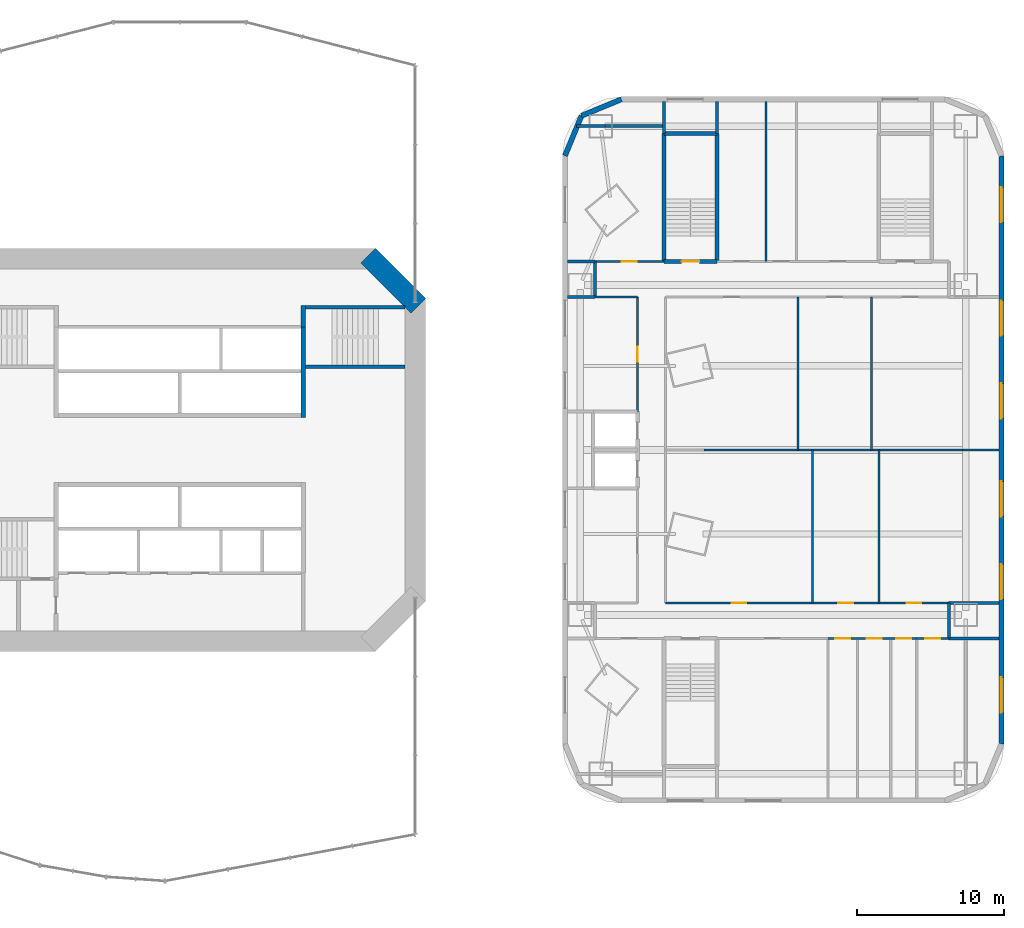
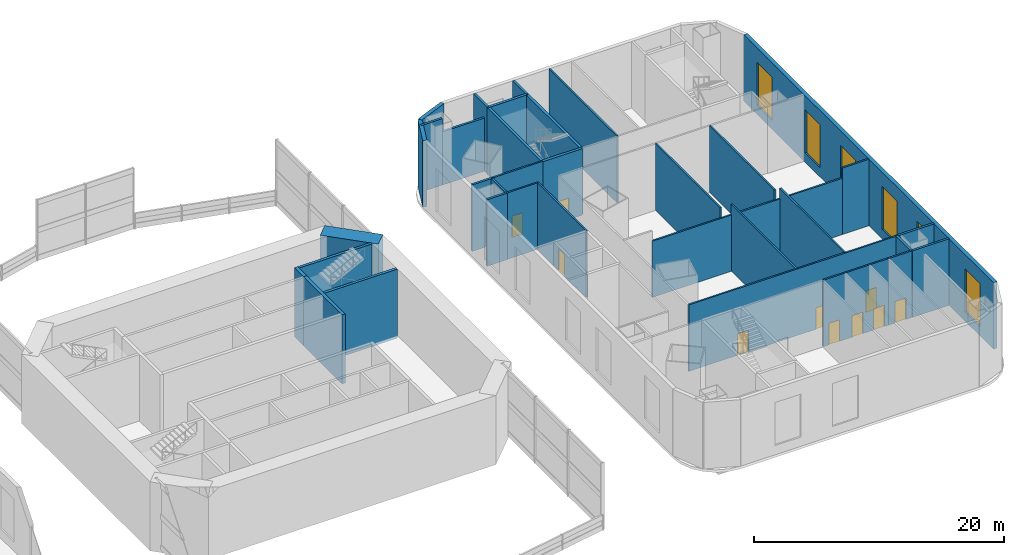
# One storey, part 14 of 19: 35 walls, 10 doors, 6 windows, 16 openings.
"""IFC4 building model written with IfcOpenShell, lengths in metres."""

from ifc_helpers import new_model, si_unit, direction, frame, frame_2d, origin, place, context, subcontext, project, spatial, rectangle, extrude, material, layer, layer_set, type_object, element, fill, save


model = new_model("IFC4")

# Units and contexts
model_context = context("Model", 3, precision=1e-05, world=origin(), true_north=direction((0.0, 1.0)))
body_context = subcontext(model_context, "Body", "Model", "MODEL_VIEW")
ifc_project = project(units=[si_unit("LENGTHUNIT", "METRE"), si_unit("AREAUNIT", "SQUARE_METRE"), si_unit("VOLUMEUNIT", "CUBIC_METRE"), si_unit("PLANEANGLEUNIT", "RADIAN"), si_unit("MASSUNIT", "GRAM", prefix="KILO")], contexts=[model_context])

# Site, building, storey
site_placement = place(None, origin())
site = spatial("IfcSite", under=ifc_project, at=site_placement, CompositionType="ELEMENT")
building_placement = place(site_placement, origin())
building = spatial("IfcBuilding", under=site, at=building_placement, Name="Marenthal Gate Tower", CompositionType="ELEMENT")
storey_placement = place(building_placement, frame((0.0, 0.0, 19.0)))
storey = spatial("IfcBuildingStorey", under=building, at=storey_placement, Name="L02", CompositionType="ELEMENT", Elevation=19.0)

# Walls
ifc_material_1 = material(Name="Concrete 60 MPa", Category="concrete")
ifc_layer_1 = layer(ifc_material_1, 1.39990234375)
ifc_layer_set_1 = layer_set([ifc_layer_1], Name="Core shear wall 1400")
wall_type_1 = type_object("IfcWallType", Name="Core shear wall 1400", PredefinedType="SHEAR", material=ifc_layer_set_1)
wall_1_placement = place(storey_placement, frame((16.205078125, 9.794921875, -0.25), z_axis=(0.0, 0.0, 1.0), x_axis=(-0.707106781187, 0.707106781187, 0.0)))
element("IfcWall", 1, at=wall_1_placement, inside=storey, type_object=wall_type_1, Name="Core wall 03", PredefinedType="SHEAR", context=body_context, shape_type="SweptSolid", body=[
    extrude(rectangle(XDim=4.82275390625, YDim=1.39990234375, at=frame_2d((2.411376953125, 0.0))), origin(), (0.0, 0.0, 1.0), 6.75),
])
ifc_material_2 = material(Name="Concrete 50 MPa", Category="concrete")
ifc_layer_2 = layer(ifc_material_2, 0.300048828125)
ifc_layer_set_2 = layer_set([ifc_layer_2], Name="Hoistway shear wall 300")
wall_type_2 = type_object("IfcWallType", Name="Hoistway shear wall 300", PredefinedType="SHEAR", material=ifc_layer_set_2)
wall_2_placement = place(storey_placement, frame((8.39990234375, 2.199951171875, -0.25), z_axis=(0.0, 0.0, 1.0), x_axis=(0.0, 1.0, 0.0)))
element("IfcWall", 2, at=wall_2_placement, inside=storey, type_object=wall_type_2, Name="Hoistway wall 34", PredefinedType="SHEAR", context=body_context, shape_type="SweptSolid", body=[
    extrude(rectangle(XDim=6.150146484375, YDim=0.300048828125, at=frame_2d((3.0751953125, 0.0))), origin(), (0.0, 0.0, 1.0), 6.75),
])

# Wall, opening, door
ifc_material_3 = material(Name="Gypsum board on steel studs", Category="steel")
ifc_layer_3 = layer(ifc_material_3, 0.14990234375)
ifc_layer_set_3 = layer_set([ifc_layer_3], Name="Partition 150")
wall_type_3 = type_object("IfcWallType", Name="Partition 150", PredefinedType="PARTITIONING", material=ifc_layer_set_3)
wall_3_placement = place(storey_placement, frame((50.06494140625, -12.800048828125, 0.0), z_axis=(0.0, 0.0, 1.0), x_axis=(1.0, 0.0, 0.0)))
wall_3 = element("IfcWall", 3, at=wall_3_placement, inside=storey, type_object=wall_type_3, Name="Partition wall 51", PredefinedType="PARTITIONING", context=body_context, shape_type="SweptSolid", body=[
    extrude(rectangle(XDim=2.18505859375, YDim=0.14990234375, at=frame_2d((1.092529296875, 0.0))), origin(), (0.0, 0.0, 1.0), 6.5),
])
opening_1_placement = place(wall_3_placement, frame((0.597412109375, 0.0, 0.0)))
opening_1 = element("IfcOpeningElement", 4, at=opening_1_placement, cuts=wall_3, Name="Opening D012.14", PredefinedType="OPENING", context=body_context, shape_type="SweptSolid", body=[
    extrude(rectangle(XDim=1.0, YDim=2.10009765625, at=frame_2d((0.5, 1.050048828125))), frame((0.0, 0.0849609375, 0.0), z_axis=(0.0, -1.0, 0.0), x_axis=(1.0, 0.0, 0.0)), (0.0, 0.0, 1.0), 0.169921875),
])
ifc_material_4 = material(Name="Timber door", Category="wood")
door_type_1 = type_object("IfcDoorType", Name="Door 1000 x 2100", OperationType="NOTDEFINED", PredefinedType="DOOR", material=ifc_material_4)
door_1_placement = place(opening_1_placement, frame((1.0, 0.0, 0.0), z_axis=(0.0, 0.0, 1.0), x_axis=(-1.0, 0.0, 0.0)))
door_1 = element("IfcDoor", 5, at=door_1_placement, inside=storey, type_object=door_type_1, Name="Door D012.14", OperationType="SINGLE_SWING_LEFT", OverallHeight=2.10009765625, OverallWidth=1.0, PredefinedType="DOOR", context=body_context, shape_type="SweptSolid", body=[
    extrude(rectangle(XDim=1.0, YDim=2.10009765625, at=frame_2d((0.5, 1.050048828125))), frame((0.0, 0.02490234375, 0.0), z_axis=(0.0, -1.0, 0.0), x_axis=(1.0, 0.0, 0.0)), (0.0, 0.0, 1.0), 0.050048828125),
])
fill(opening_1, door_1)

# Wall, openings, doors
wall_4_placement = place(storey_placement, frame((32.9951171875, -10.39990234375, 0.0), z_axis=(0.0, 0.0, 1.0), x_axis=(1.0, 0.0, 0.0)))
wall_4 = element("IfcWall", 6, at=wall_4_placement, inside=storey, type_object=wall_type_3, Name="Partition wall 55", PredefinedType="PARTITIONING", context=body_context, shape_type="SweptSolid", body=[
    extrude(rectangle(XDim=19.2548828125, YDim=0.14990234375, at=frame_2d((9.62744140625, 0.0))), origin(), (0.0, 0.0, 1.0), 6.5),
])
opening_2_placement = place(wall_4_placement, frame((4.5048828125, 0.0, 0.0)))
opening_2 = element("IfcOpeningElement", 7, at=opening_2_placement, cuts=wall_4, Name="Opening D012.07", PredefinedType="OPENING", context=body_context, shape_type="SweptSolid", body=[
    extrude(rectangle(XDim=1.0, YDim=2.10009765625, at=frame_2d((0.5, 1.050048828125))), frame((0.0, 0.0849609375, 0.0), z_axis=(0.0, -1.0, 0.0), x_axis=(1.0, 0.0, 0.0)), (0.0, 0.0, 1.0), 0.169921875),
])
opening_3_placement = place(wall_4_placement, frame((11.7548828125, 0.0, 0.0)))
opening_3 = element("IfcOpeningElement", 8, at=opening_3_placement, cuts=wall_4, Name="Opening D012.08", PredefinedType="OPENING", context=body_context, shape_type="SweptSolid", body=[
    extrude(rectangle(XDim=1.0, YDim=2.10009765625, at=frame_2d((0.5, 1.050048828125))), frame((0.0, 0.0849609375, 0.0), z_axis=(0.0, -1.0, 0.0), x_axis=(1.0, 0.0, 0.0)), (0.0, 0.0, 1.0), 0.169921875),
])
opening_4_placement = place(wall_4_placement, frame((16.382568359375, 0.0, 0.0)))
opening_4 = element("IfcOpeningElement", 9, at=opening_4_placement, cuts=wall_4, Name="Opening D012.09", PredefinedType="OPENING", context=body_context, shape_type="SweptSolid", body=[
    extrude(rectangle(XDim=1.0, YDim=2.10009765625, at=frame_2d((0.5, 1.050048828125))), frame((0.0, 0.0849609375, 0.0), z_axis=(0.0, -1.0, 0.0), x_axis=(1.0, 0.0, 0.0)), (0.0, 0.0, 1.0), 0.169921875),
])
door_2_placement = place(opening_2_placement, origin())
door_2 = element("IfcDoor", 10, at=door_2_placement, inside=storey, type_object=door_type_1, Name="Door D012.07", OperationType="SINGLE_SWING_RIGHT", OverallHeight=2.10009765625, OverallWidth=1.0, PredefinedType="DOOR", context=body_context, shape_type="SweptSolid", body=[
    extrude(rectangle(XDim=1.0, YDim=2.10009765625, at=frame_2d((0.5, 1.050048828125))), frame((0.0, 0.02490234375, 0.0), z_axis=(0.0, -1.0, 0.0), x_axis=(1.0, 0.0, 0.0)), (0.0, 0.0, 1.0), 0.050048828125),
])
fill(opening_2, door_2)
door_3_placement = place(opening_3_placement, origin())
door_3 = element("IfcDoor", 11, at=door_3_placement, inside=storey, type_object=door_type_1, Name="Door D012.08", OperationType="SINGLE_SWING_RIGHT", OverallHeight=2.10009765625, OverallWidth=1.0, PredefinedType="DOOR", context=body_context, shape_type="SweptSolid", body=[
    extrude(rectangle(XDim=1.0, YDim=2.10009765625, at=frame_2d((0.5, 1.050048828125))), frame((0.0, 0.02490234375, 0.0), z_axis=(0.0, -1.0, 0.0), x_axis=(1.0, 0.0, 0.0)), (0.0, 0.0, 1.0), 0.050048828125),
])
fill(opening_3, door_3)
door_4_placement = place(opening_4_placement, origin())
door_4 = element("IfcDoor", 12, at=door_4_placement, inside=storey, type_object=door_type_1, Name="Door D012.09", OperationType="SINGLE_SWING_RIGHT", OverallHeight=2.10009765625, OverallWidth=1.0, PredefinedType="DOOR", context=body_context, shape_type="SweptSolid", body=[
    extrude(rectangle(XDim=1.0, YDim=2.10009765625, at=frame_2d((0.5, 1.050048828125))), frame((0.0, 0.02490234375, 0.0), z_axis=(0.0, -1.0, 0.0), x_axis=(1.0, 0.0, 0.0)), (0.0, 0.0, 1.0), 0.050048828125),
])
fill(opening_4, door_4)

# Walls
wall_5_placement = place(storey_placement, frame((35.62158203125, 0.0, 0.0), z_axis=(0.0, 0.0, 1.0), x_axis=(1.0, 0.0, 0.0)))
element("IfcWall", 13, at=wall_5_placement, inside=storey, type_object=wall_type_3, Name="Partition wall 167", PredefinedType="PARTITIONING", context=body_context, shape_type="SweptSolid", body=[
    extrude(rectangle(XDim=17.553466796875, YDim=0.14990234375, at=frame_2d((8.77685546875, 0.0))), origin(), (0.0, 0.0, 1.0), 5.5),
])
wall_6_placement = place(storey_placement, frame((53.175048828125, 0.0, 0.0), z_axis=(0.0, 0.0, 1.0), x_axis=(1.0, 0.0, 0.0)))
element("IfcWall", 14, at=wall_6_placement, inside=storey, type_object=wall_type_3, Name="Partition wall 168", PredefinedType="PARTITIONING", context=body_context, shape_type="SweptSolid", body=[
    extrude(rectangle(XDim=2.494873046875, YDim=0.14990234375, at=frame_2d((1.24755859375, 0.0))), origin(), (0.0, 0.0, 1.0), 6.5),
])
wall_7_placement = place(storey_placement, frame((28.199951171875, 10.39990234375, 0.0), z_axis=(0.0, 0.0, 1.0), x_axis=(1.0, 0.0, 0.0)))
element("IfcWall", 15, at=wall_7_placement, inside=storey, type_object=wall_type_3, Name="Partition wall 60", PredefinedType="PARTITIONING", context=body_context, shape_type="SweptSolid", body=[
    extrude(rectangle(XDim=2.905029296875, YDim=0.14990234375, at=frame_2d((1.45263671875, 0.0))), origin(), (0.0, 0.0, 1.0), 6.5),
])

# Wall, opening, door
wall_8_placement = place(storey_placement, frame((28.199951171875, 12.800048828125, 0.0), z_axis=(0.0, 0.0, 1.0), x_axis=(1.0, 0.0, 0.0)))
wall_8 = element("IfcWall", 16, at=wall_8_placement, inside=storey, type_object=wall_type_3, Name="Partition wall 64", PredefinedType="PARTITIONING", context=body_context, shape_type="SweptSolid", body=[
    extrude(rectangle(XDim=4.705078125, YDim=0.14990234375, at=frame_2d((2.3525390625, 0.0))), origin(), (0.0, 0.0, 1.0), 6.5),
])
opening_5_placement = place(wall_8_placement, frame((1.847412109375, 0.0, 0.0)))
opening_5 = element("IfcOpeningElement", 17, at=opening_5_placement, cuts=wall_8, Name="Opening D012.17", PredefinedType="OPENING", context=body_context, shape_type="SweptSolid", body=[
    extrude(rectangle(XDim=1.0, YDim=2.10009765625, at=frame_2d((0.5, 1.050048828125))), frame((0.0, 0.0849609375, 0.0), z_axis=(0.0, -1.0, 0.0), x_axis=(1.0, 0.0, 0.0)), (0.0, 0.0, 1.0), 0.169921875),
])
door_5_placement = place(opening_5_placement, origin())
door_5 = element("IfcDoor", 18, at=door_5_placement, inside=storey, type_object=door_type_1, Name="Door D012.17", OperationType="SINGLE_SWING_RIGHT", OverallHeight=2.10009765625, OverallWidth=1.0, PredefinedType="DOOR", context=body_context, shape_type="SweptSolid", body=[
    extrude(rectangle(XDim=1.0, YDim=2.10009765625, at=frame_2d((0.5, 1.050048828125))), frame((0.0, 0.02490234375, 0.0), z_axis=(0.0, -1.0, 0.0), x_axis=(1.0, 0.0, 0.0)), (0.0, 0.0, 1.0), 0.050048828125),
])
fill(opening_5, door_5)

# Walls
for number, where, z_axis, x_axis, name in (
    (19, (47.5, -10.39990234375, 0.0), (0.0, 0.0, 1.0), (0.0, 1.0, 0.0), "Partition wall 66"),
    (20, (47.0, 0.0, 0.0), (0.0, 0.0, 1.0), (0.0, 1.0, 0.0), "Partition wall 67"),
    (21, (43.0, -10.39990234375, 0.0), (0.0, 0.0, 1.0), (0.0, 1.0, 0.0), "Partition wall 68"),
    (22, (42.0, 0.0, 0.0), (0.0, 0.0, 1.0), (0.0, 1.0, 0.0), "Partition wall 69"),
):
    element("IfcWall", number, at=place(storey_placement, frame(where, z_axis=z_axis, x_axis=x_axis)), inside=storey, type_object=wall_type_3, Name=name, PredefinedType="PARTITIONING", context=body_context, shape_type="SweptSolid", body=[
        extrude(rectangle(XDim=10.39990234375, YDim=0.14990234375, at=frame_2d((5.199951171875, 0.0))), origin(), (0.0, 0.0, 1.0), 6.5),
    ])
wall_9_placement = place(storey_placement, frame((39.840087890625, 12.800048828125, 0.0), z_axis=(0.0, 0.0, 1.0), x_axis=(0.0, 1.0, 0.0)))
element("IfcWall", 23, at=wall_9_placement, inside=storey, type_object=wall_type_3, Name="Partition wall 71", PredefinedType="PARTITIONING", context=body_context, shape_type="SweptSolid", body=[
    extrude(rectangle(XDim=10.869873046875, YDim=0.14990234375, at=frame_2d((5.43505859375, 0.0))), origin(), (0.0, 0.0, 1.0), 6.5),
])

# Wall, opening, door
wall_10_placement = place(storey_placement, frame((31.10009765625, 2.594970703125, 0.0), z_axis=(0.0, 0.0, 1.0), x_axis=(0.0, 1.0, 0.0)))
wall_10 = element("IfcWall", 24, at=wall_10_placement, inside=storey, type_object=wall_type_3, Name="Partition wall 74", PredefinedType="PARTITIONING", context=body_context, shape_type="SweptSolid", body=[
    extrude(rectangle(XDim=7.804931640625, YDim=0.14990234375, at=frame_2d((3.90234375, 0.0))), origin(), (0.0, 0.0, 1.0), 6.5),
])
opening_6_placement = place(wall_10_placement, frame((3.405029296875, 0.0, 0.0)))
opening_6 = element("IfcOpeningElement", 25, at=opening_6_placement, cuts=wall_10, Name="Opening D012.15", PredefinedType="OPENING", context=body_context, shape_type="SweptSolid", body=[
    extrude(rectangle(XDim=1.0, YDim=2.10009765625, at=frame_2d((0.5, 1.050048828125))), frame((0.0, 0.0849609375, 0.0), z_axis=(0.0, -1.0, 0.0), x_axis=(1.0, 0.0, 0.0)), (0.0, 0.0, 1.0), 0.169921875),
])
door_6_placement = place(opening_6_placement, origin())
door_6 = element("IfcDoor", 26, at=door_6_placement, inside=storey, type_object=door_type_1, Name="Door D012.15", OperationType="SINGLE_SWING_RIGHT", OverallHeight=2.10009765625, OverallWidth=1.0, PredefinedType="DOOR", context=body_context, shape_type="SweptSolid", body=[
    extrude(rectangle(XDim=1.0, YDim=2.10009765625, at=frame_2d((0.5, 1.050048828125))), frame((0.0, 0.02490234375, 0.0), z_axis=(0.0, -1.0, 0.0), x_axis=(1.0, 0.0, 0.0)), (0.0, 0.0, 1.0), 0.050048828125),
])
fill(opening_6, door_6)

# Walls
ifc_material_5 = material(Name="Gypsum board on steel studs", Category="steel")
ifc_layer_4 = layer(ifc_material_5, 0.199951171875)
ifc_layer_set_4 = layer_set([ifc_layer_4], Name="Partition 200")
wall_type_4 = type_object("IfcWallType", Name="Partition 200", PredefinedType="PARTITIONING", material=ifc_layer_set_4)
for number, where, z_axis, x_axis, name in (
    (27, (52.2451171875, -12.800048828125, 0.0), (0.0, 0.0, 1.0), (1.0, 0.0, 0.0), "Partition wall 87"),
    (28, (52.2451171875, -10.39990234375, 0.0), (0.0, 0.0, 1.0), (1.0, 0.0, 0.0), "Partition wall 91"),
):
    element("IfcWall", number, at=place(storey_placement, frame(where, z_axis=z_axis, x_axis=x_axis)), inside=storey, type_object=wall_type_4, Name=name, PredefinedType="PARTITIONING", context=body_context, shape_type="SweptSolid", body=[
        extrude(rectangle(XDim=3.4248046875, YDim=0.199951171875, at=frame_2d((1.71240234375, 0.0))), origin(), (0.0, 0.0, 1.0), 6.5),
    ])
for number, where, z_axis, x_axis, name in (
    (29, (26.330078125, 10.39990234375, 0.0), (0.0, 0.0, 1.0), (1.0, 0.0, 0.0), "Partition wall 98"),
    (30, (26.330078125, 12.800048828125, 0.0), (0.0, 0.0, 1.0), (1.0, 0.0, 0.0), "Partition wall 02"),
):
    element("IfcWall", number, at=place(storey_placement, frame(where, z_axis=z_axis, x_axis=x_axis)), inside=storey, type_object=wall_type_4, Name=name, PredefinedType="PARTITIONING", context=body_context, shape_type="SweptSolid", body=[
        extrude(rectangle(XDim=1.873779296875, YDim=0.199951171875, at=frame_2d((0.93701171875, 0.0))), origin(), (0.0, 0.0, 1.0), 6.5),
    ])
wall_11_placement = place(storey_placement, frame((26.951904296875, 22.0, 0.0), z_axis=(0.0, 0.0, 1.0), x_axis=(1.0, 0.0, 0.0)))
element("IfcWall", 31, at=wall_11_placement, inside=storey, type_object=wall_type_4, Name="Partition wall 05", PredefinedType="PARTITIONING", context=body_context, shape_type="SweptSolid", body=[
    extrude(rectangle(XDim=1.947998046875, YDim=0.199951171875, at=frame_2d((0.97412109375, 0.0))), origin(), (0.0, 0.0, 1.0), 6.5),
])
wall_12_placement = place(storey_placement, frame((28.89990234375, 22.0, 0.0), z_axis=(0.0, 0.0, 1.0), x_axis=(1.0, 0.0, 0.0)))
element("IfcWall", 32, at=wall_12_placement, inside=storey, type_object=wall_type_4, Name="Partition wall 172", PredefinedType="PARTITIONING", context=body_context, shape_type="SweptSolid", body=[
    extrude(rectangle(XDim=4.0, YDim=0.199951171875, at=frame_2d((2.0, 0.0))), origin(), (0.0, 0.0, 1.0), 5.199951171875),
])
wall_13_placement = place(storey_placement, frame((52.25, -12.800048828125, 0.0), z_axis=(0.0, 0.0, 1.0), x_axis=(0.0, 1.0, 0.0)))
element("IfcWall", 33, at=wall_13_placement, inside=storey, type_object=wall_type_4, Name="Partition wall 07", PredefinedType="PARTITIONING", context=body_context, shape_type="SweptSolid", body=[
    extrude(rectangle(XDim=2.400146484375, YDim=0.199951171875, at=frame_2d((1.2001953125, 0.0))), origin(), (0.0, 0.0, 1.0), 6.5),
])
for number, where, z_axis, x_axis, name in (
    (34, (36.5, 21.49609375, 0.0), (0.0, 0.0, 1.0), (0.0, 1.0, 0.0), "Partition wall 12"),
    (35, (32.89990234375, 21.49609375, 0.0), (0.0, 0.0, 1.0), (0.0, 1.0, 0.0), "Partition wall 14"),
):
    element("IfcWall", number, at=place(storey_placement, frame(where, z_axis=z_axis, x_axis=x_axis)), inside=storey, type_object=wall_type_4, Name=name, PredefinedType="PARTITIONING", context=body_context, shape_type="SweptSolid", body=[
        extrude(rectangle(XDim=2.173828125, YDim=0.199951171875, at=frame_2d((1.0869140625, 0.0))), origin(), (0.0, 0.0, 1.0), 6.5),
    ])
wall_14_placement = place(storey_placement, frame((28.199951171875, 10.39990234375, 0.0), z_axis=(0.0, 0.0, 1.0), x_axis=(0.0, 1.0, 0.0)))
element("IfcWall", 36, at=wall_14_placement, inside=storey, type_object=wall_type_4, Name="Partition wall 16", PredefinedType="PARTITIONING", context=body_context, shape_type="SweptSolid", body=[
    extrude(rectangle(XDim=2.400146484375, YDim=0.199951171875, at=frame_2d((1.2001953125, 0.0))), origin(), (0.0, 0.0, 1.0), 6.5),
])
ifc_material_6 = material(Name="Concrete 50 MPa", Category="concrete")
ifc_layer_5 = layer(ifc_material_6, 0.25)
ifc_layer_set_5 = layer_set([ifc_layer_5], Name="Stair shear wall 250")
wall_type_5 = type_object("IfcWallType", Name="Stair shear wall 250", PredefinedType="SHEAR", material=ifc_layer_set_5)
for number, where, z_axis, x_axis, name in (
    (37, (8.550048828125, 5.64990234375, -0.25), (0.0, 0.0, 1.0), (1.0, 0.0, 0.0), "Stair wall 17"),
    (38, (8.550048828125, 9.699951171875, -0.25), (0.0, 0.0, 1.0), (1.0, 0.0, 0.0), "Stair wall 20"),
):
    element("IfcWall", number, at=place(storey_placement, frame(where, z_axis=z_axis, x_axis=x_axis)), inside=storey, type_object=wall_type_5, Name=name, PredefinedType="SHEAR", context=body_context, shape_type="SweptSolid", body=[
        extrude(rectangle(XDim=6.75, YDim=0.25, at=frame_2d((3.375, 0.0))), origin(), (0.0, 0.0, 1.0), 6.75),
    ])

# Wall, opening, door
wall_15_placement = place(storey_placement, frame((32.89501953125, 12.800048828125, 0.0), z_axis=(0.0, 0.0, 1.0), x_axis=(1.0, 0.0, 0.0)))
wall_15 = element("IfcWall", 39, at=wall_15_placement, inside=storey, type_object=wall_type_5, Name="Stair wall 34", PredefinedType="SHEAR", context=body_context, shape_type="SweptSolid", body=[
    extrude(rectangle(XDim=3.60986328125, YDim=0.25, at=frame_2d((1.804931640625, 0.0))), origin(), (0.0, 0.0, 1.0), 6.5),
])
opening_7_placement = place(wall_15_placement, frame((1.205078125, 0.0, 0.0)))
opening_7 = element("IfcOpeningElement", 40, at=opening_7_placement, cuts=wall_15, Name="Opening D001.02", PredefinedType="OPENING", context=body_context, shape_type="SweptSolid", body=[
    extrude(rectangle(XDim=1.199951171875, YDim=2.10009765625, at=frame_2d((0.60009765625, 1.050048828125))), frame((0.0, 0.135009765625, 0.0), z_axis=(0.0, -1.0, 0.0), x_axis=(1.0, 0.0, 0.0)), (0.0, 0.0, 1.0), 0.27001953125),
])
ifc_material_7 = material(Name="Steel fire door", Category="steel")
door_type_2 = type_object("IfcDoorType", Name="Fire door FD 90 1200 x 2100", OperationType="NOTDEFINED", PredefinedType="DOOR", material=ifc_material_7)
door_7_placement = place(opening_7_placement, origin())
door_7 = element("IfcDoor", 41, at=door_7_placement, inside=storey, type_object=door_type_2, Name="Door D001.02", OperationType="SINGLE_SWING_RIGHT", OverallHeight=2.10009765625, OverallWidth=1.199951171875, PredefinedType="DOOR", context=body_context, shape_type="SweptSolid", body=[
    extrude(rectangle(XDim=1.199951171875, YDim=2.10009765625, at=frame_2d((0.60009765625, 1.050048828125))), frame((0.0, 0.02490234375, 0.0), z_axis=(0.0, -1.0, 0.0), x_axis=(1.0, 0.0, 0.0)), (0.0, 0.0, 1.0), 0.050048828125),
])
fill(opening_7, door_7)

# Walls
wall_16_placement = place(storey_placement, frame((32.89990234375, 21.5, 0.0), z_axis=(0.0, 0.0, 1.0), x_axis=(1.0, 0.0, 0.0)))
element("IfcWall", 42, at=wall_16_placement, inside=storey, type_object=wall_type_5, Name="Stair wall 38", PredefinedType="SHEAR", context=body_context, shape_type="SweptSolid", body=[
    extrude(rectangle(XDim=3.60009765625, YDim=0.25, at=frame_2d((1.800048828125, 0.0))), origin(), (0.0, 0.0, 1.0), 6.5),
])
for number, where, z_axis, x_axis, name in (
    (43, (36.5, 12.800048828125, 0.0), (0.0, 0.0, 1.0), (0.0, 1.0, 0.0), "Stair wall 43"),
    (44, (32.89990234375, 12.800048828125, 0.0), (0.0, 0.0, 1.0), (0.0, 1.0, 0.0), "Stair wall 45"),
):
    element("IfcWall", number, at=place(storey_placement, frame(where, z_axis=z_axis, x_axis=x_axis)), inside=storey, type_object=wall_type_5, Name=name, PredefinedType="SHEAR", context=body_context, shape_type="SweptSolid", body=[
        extrude(rectangle(XDim=8.699951171875, YDim=0.25, at=frame_2d((4.35009765625, 0.0))), origin(), (0.0, 0.0, 1.0), 6.5),
    ])
ifc_material_8 = material(Name="Concrete 50 MPa", Category="concrete")
ifc_layer_6 = layer(ifc_material_8, 0.300048828125)
ifc_layer_set_6 = layer_set([ifc_layer_6], Name="Stair shear wall 300")
wall_type_6 = type_object("IfcWallType", Name="Stair shear wall 300", PredefinedType="SHEAR", material=ifc_layer_set_6)
wall_17_placement = place(storey_placement, frame((8.39990234375, 8.35009765625, -0.25), z_axis=(0.0, 0.0, 1.0), x_axis=(0.0, 1.0, 0.0)))
element("IfcWall", 45, at=wall_17_placement, inside=storey, type_object=wall_type_6, Name="Stair wall 35", PredefinedType="SHEAR", context=body_context, shape_type="SweptSolid", body=[
    extrude(rectangle(XDim=1.474853515625, YDim=0.300048828125, at=frame_2d((0.7373046875, 0.0))), origin(), (0.0, 0.0, 1.0), 6.75),
])

# Wall, openings, windows
ifc_material_9 = material(Name="Terracotta cladding on insulated concrete-block backing", Category="masonry")
ifc_layer_7 = layer(ifc_material_9, 0.35009765625)
ifc_layer_set_7 = layer_set([ifc_layer_7], Name="Terracotta cladding wall 350")
wall_type_7 = type_object("IfcWallType", Name="Terracotta cladding wall 350", PredefinedType="SOLIDWALL", material=ifc_layer_set_7)
wall_18_placement = place(storey_placement, frame((55.824951171875, -19.988525390625, 0.0), z_axis=(0.0, 0.0, 1.0), x_axis=(0.0, 1.0, 0.0)))
wall_18 = element("IfcWall", 46, at=wall_18_placement, inside=storey, type_object=wall_type_7, Name="Terracotta cladding wall L02 E3", PredefinedType="SOLIDWALL", context=body_context, shape_type="SweptSolid", body=[
    extrude(rectangle(XDim=39.97705078125, YDim=0.35009765625, at=frame_2d((19.988525390625, 0.0))), origin(), (0.0, 0.0, 1.0), 6.5),
])
opening_8_placement = place(wall_18_placement, frame((2.13134765625, 0.0, 0.89990234375)))
opening_8 = element("IfcOpeningElement", 47, at=opening_8_placement, cuts=wall_18, Name="Opening WN4-L02-17", PredefinedType="OPENING", context=body_context, shape_type="SweptSolid", body=[
    extrude(rectangle(XDim=2.39990234375, YDim=4.199951171875, at=frame_2d((1.199951171875, 2.10009765625))), frame((0.0, 0.18505859375, 0.0), z_axis=(0.0, -1.0, 0.0), x_axis=(1.0, 0.0, 0.0)), (0.0, 0.0, 1.0), 0.3701171875),
])
opening_9_placement = place(wall_18_placement, frame((9.83837890625, 0.0, 0.89990234375)))
opening_9 = element("IfcOpeningElement", 48, at=opening_9_placement, cuts=wall_18, Name="Opening WN4-L02-18", PredefinedType="OPENING", context=body_context, shape_type="SweptSolid", body=[
    extrude(rectangle(XDim=2.39990234375, YDim=4.199951171875, at=frame_2d((1.199951171875, 2.10009765625))), frame((0.0, 0.18505859375, 0.0), z_axis=(0.0, -1.0, 0.0), x_axis=(1.0, 0.0, 0.0)), (0.0, 0.0, 1.0), 0.3701171875),
])
opening_10_placement = place(wall_18_placement, frame((15.45703125, 0.0, 0.89990234375)))
opening_10 = element("IfcOpeningElement", 49, at=opening_10_placement, cuts=wall_18, Name="Opening WN4-L02-19", PredefinedType="OPENING", context=body_context, shape_type="SweptSolid", body=[
    extrude(rectangle(XDim=2.39990234375, YDim=4.199951171875, at=frame_2d((1.199951171875, 2.10009765625))), frame((0.0, 0.18505859375, 0.0), z_axis=(0.0, -1.0, 0.0), x_axis=(1.0, 0.0, 0.0)), (0.0, 0.0, 1.0), 0.3701171875),
])
opening_11_placement = place(wall_18_placement, frame((22.119873046875, 0.0, 0.89990234375)))
opening_11 = element("IfcOpeningElement", 50, at=opening_11_placement, cuts=wall_18, Name="Opening WN4-L02-20", PredefinedType="OPENING", context=body_context, shape_type="SweptSolid", body=[
    extrude(rectangle(XDim=2.39990234375, YDim=4.199951171875, at=frame_2d((1.199951171875, 2.10009765625))), frame((0.0, 0.18505859375, 0.0), z_axis=(0.0, -1.0, 0.0), x_axis=(1.0, 0.0, 0.0)), (0.0, 0.0, 1.0), 0.3701171875),
])
opening_12_placement = place(wall_18_placement, frame((27.738525390625, 0.0, 0.89990234375)))
opening_12 = element("IfcOpeningElement", 51, at=opening_12_placement, cuts=wall_18, Name="Opening WN4-L02-21", PredefinedType="OPENING", context=body_context, shape_type="SweptSolid", body=[
    extrude(rectangle(XDim=2.39990234375, YDim=4.199951171875, at=frame_2d((1.199951171875, 2.10009765625))), frame((0.0, 0.18505859375, 0.0), z_axis=(0.0, -1.0, 0.0), x_axis=(1.0, 0.0, 0.0)), (0.0, 0.0, 1.0), 0.3701171875),
])
opening_13_placement = place(wall_18_placement, frame((35.445556640625, 0.0, 0.89990234375)))
opening_13 = element("IfcOpeningElement", 52, at=opening_13_placement, cuts=wall_18, Name="Opening WN4-L02-22", PredefinedType="OPENING", context=body_context, shape_type="SweptSolid", body=[
    extrude(rectangle(XDim=2.39990234375, YDim=4.199951171875, at=frame_2d((1.199951171875, 2.10009765625))), frame((0.0, 0.18505859375, 0.0), z_axis=(0.0, -1.0, 0.0), x_axis=(1.0, 0.0, 0.0)), (0.0, 0.0, 1.0), 0.3701171875),
])
ifc_material_10 = material(Name="Aluminium and laminated impact-rated glass", Category="aluminium")
window_type = type_object("IfcWindowType", Name="Window 2400x4200 impact-rated", PartitioningType="DOUBLE_PANEL_VERTICAL", PredefinedType="WINDOW", material=ifc_material_10)
window_1_placement = place(opening_8_placement, origin())
window_1 = element("IfcWindow", 53, at=window_1_placement, inside=storey, type_object=window_type, Name="Window L02 E3 1", OverallHeight=4.199951171875, OverallWidth=2.39990234375, PartitioningType="SINGLE_PANEL", PredefinedType="WINDOW", context=body_context, shape_type="SweptSolid", body=[
    extrude(rectangle(XDim=2.39990234375, YDim=4.199951171875, at=frame_2d((1.199951171875, 2.10009765625))), frame((0.0, 0.030029296875, 0.0), z_axis=(0.0, -1.0, 0.0), x_axis=(1.0, 0.0, 0.0)), (0.0, 0.0, 1.0), 0.06005859375),
])
fill(opening_8, window_1)
window_2_placement = place(opening_9_placement, origin())
window_2 = element("IfcWindow", 54, at=window_2_placement, inside=storey, type_object=window_type, Name="Window L02 E3 2", OverallHeight=4.199951171875, OverallWidth=2.39990234375, PartitioningType="SINGLE_PANEL", PredefinedType="WINDOW", context=body_context, shape_type="SweptSolid", body=[
    extrude(rectangle(XDim=2.39990234375, YDim=4.199951171875, at=frame_2d((1.199951171875, 2.10009765625))), frame((0.0, 0.030029296875, 0.0), z_axis=(0.0, -1.0, 0.0), x_axis=(1.0, 0.0, 0.0)), (0.0, 0.0, 1.0), 0.06005859375),
])
fill(opening_9, window_2)
window_3_placement = place(opening_10_placement, origin())
window_3 = element("IfcWindow", 55, at=window_3_placement, inside=storey, type_object=window_type, Name="Window L02 E3 3", OverallHeight=4.199951171875, OverallWidth=2.39990234375, PartitioningType="SINGLE_PANEL", PredefinedType="WINDOW", context=body_context, shape_type="SweptSolid", body=[
    extrude(rectangle(XDim=2.39990234375, YDim=4.199951171875, at=frame_2d((1.199951171875, 2.10009765625))), frame((0.0, 0.030029296875, 0.0), z_axis=(0.0, -1.0, 0.0), x_axis=(1.0, 0.0, 0.0)), (0.0, 0.0, 1.0), 0.06005859375),
])
fill(opening_10, window_3)
window_4_placement = place(opening_11_placement, origin())
window_4 = element("IfcWindow", 56, at=window_4_placement, inside=storey, type_object=window_type, Name="Window L02 E3 4", OverallHeight=4.199951171875, OverallWidth=2.39990234375, PartitioningType="SINGLE_PANEL", PredefinedType="WINDOW", context=body_context, shape_type="SweptSolid", body=[
    extrude(rectangle(XDim=2.39990234375, YDim=4.199951171875, at=frame_2d((1.199951171875, 2.10009765625))), frame((0.0, 0.030029296875, 0.0), z_axis=(0.0, -1.0, 0.0), x_axis=(1.0, 0.0, 0.0)), (0.0, 0.0, 1.0), 0.06005859375),
])
fill(opening_11, window_4)
window_5_placement = place(opening_12_placement, origin())
window_5 = element("IfcWindow", 57, at=window_5_placement, inside=storey, type_object=window_type, Name="Window L02 E3 5", OverallHeight=4.199951171875, OverallWidth=2.39990234375, PartitioningType="SINGLE_PANEL", PredefinedType="WINDOW", context=body_context, shape_type="SweptSolid", body=[
    extrude(rectangle(XDim=2.39990234375, YDim=4.199951171875, at=frame_2d((1.199951171875, 2.10009765625))), frame((0.0, 0.030029296875, 0.0), z_axis=(0.0, -1.0, 0.0), x_axis=(1.0, 0.0, 0.0)), (0.0, 0.0, 1.0), 0.06005859375),
])
fill(opening_12, window_5)
window_6_placement = place(opening_13_placement, origin())
window_6 = element("IfcWindow", 58, at=window_6_placement, inside=storey, type_object=window_type, Name="Window L02 E3 6", OverallHeight=4.199951171875, OverallWidth=2.39990234375, PartitioningType="SINGLE_PANEL", PredefinedType="WINDOW", context=body_context, shape_type="SweptSolid", body=[
    extrude(rectangle(XDim=2.39990234375, YDim=4.199951171875, at=frame_2d((1.199951171875, 2.10009765625))), frame((0.0, 0.030029296875, 0.0), z_axis=(0.0, -1.0, 0.0), x_axis=(1.0, 0.0, 0.0)), (0.0, 0.0, 1.0), 0.06005859375),
])
fill(opening_13, window_6)

# Walls
for number, where, z_axis, x_axis, name in (
    (59, (30.011474609375, 23.824951171875, 0.0), (0.0, 0.0, 1.0), (-0.924274813566, -0.381727741993, 0.0), "Terracotta cladding wall L02 E7"),
    (60, (27.29638671875, 22.70361328125, 0.0), (0.0, 0.0, 1.0), (-0.381727741993, -0.924274813566, 0.0), "Terracotta cladding wall L02 E8"),
):
    element("IfcWall", number, at=place(storey_placement, frame(where, z_axis=z_axis, x_axis=x_axis)), inside=storey, type_object=wall_type_7, Name=name, PredefinedType="SOLIDWALL", context=body_context, shape_type="SweptSolid", body=[
        extrude(rectangle(XDim=2.9375, YDim=0.35009765625, at=frame_2d((1.46875, 0.0))), origin(), (0.0, 0.0, 1.0), 6.5),
    ])

# Wall, openings, doors
ifc_material_11 = material(Name="Gypsum board on steel studs", Category="steel")
ifc_layer_8 = layer(ifc_material_11, 0.14990234375)
ifc_layer_set_8 = layer_set([ifc_layer_8], Name="Wet room partition 150")
wall_type_8 = type_object("IfcWallType", Name="Wet room partition 150", PredefinedType="PARTITIONING", material=ifc_layer_set_8)
wall_19_placement = place(storey_placement, frame((44.034912109375, -12.800048828125, 0.0), z_axis=(0.0, 0.0, 1.0), x_axis=(1.0, 0.0, 0.0)))
wall_19 = element("IfcWall", 61, at=wall_19_placement, inside=storey, type_object=wall_type_8, Name="Wet wall 53", PredefinedType="PARTITIONING", context=body_context, shape_type="SweptSolid", body=[
    extrude(rectangle(XDim=6.0400390625, YDim=0.14990234375, at=frame_2d((3.02001953125, 0.0))), origin(), (0.0, 0.0, 1.0), 6.5),
])
opening_14_placement = place(wall_19_placement, frame((0.510009765625, 0.0, 0.0)))
opening_14 = element("IfcOpeningElement", 62, at=opening_14_placement, cuts=wall_19, Name="Opening D012.11", PredefinedType="OPENING", context=body_context, shape_type="SweptSolid", body=[
    extrude(rectangle(XDim=1.0, YDim=2.10009765625, at=frame_2d((0.5, 1.050048828125))), frame((0.0, 0.0849609375, 0.0), z_axis=(0.0, -1.0, 0.0), x_axis=(1.0, 0.0, 0.0)), (0.0, 0.0, 1.0), 0.169921875),
])
opening_15_placement = place(wall_19_placement, frame((2.64501953125, 0.0, 0.0)))
opening_15 = element("IfcOpeningElement", 63, at=opening_15_placement, cuts=wall_19, Name="Opening D012.12", PredefinedType="OPENING", context=body_context, shape_type="SweptSolid", body=[
    extrude(rectangle(XDim=1.0, YDim=2.10009765625, at=frame_2d((0.5, 1.050048828125))), frame((0.0, 0.0849609375, 0.0), z_axis=(0.0, -1.0, 0.0), x_axis=(1.0, 0.0, 0.0)), (0.0, 0.0, 1.0), 0.169921875),
])
opening_16_placement = place(wall_19_placement, frame((4.655029296875, 0.0, 0.0)))
opening_16 = element("IfcOpeningElement", 64, at=opening_16_placement, cuts=wall_19, Name="Opening D012.13", PredefinedType="OPENING", context=body_context, shape_type="SweptSolid", body=[
    extrude(rectangle(XDim=1.0, YDim=2.10009765625, at=frame_2d((0.5, 1.050048828125))), frame((0.0, 0.0849609375, 0.0), z_axis=(0.0, -1.0, 0.0), x_axis=(1.0, 0.0, 0.0)), (0.0, 0.0, 1.0), 0.169921875),
])
door_8_placement = place(opening_14_placement, frame((1.0, 0.0, 0.0), z_axis=(0.0, 0.0, 1.0), x_axis=(-1.0, 0.0, 0.0)))
door_8 = element("IfcDoor", 65, at=door_8_placement, inside=storey, type_object=door_type_1, Name="Door D012.11", OperationType="SINGLE_SWING_LEFT", OverallHeight=2.10009765625, OverallWidth=1.0, PredefinedType="DOOR", context=body_context, shape_type="SweptSolid", body=[
    extrude(rectangle(XDim=1.0, YDim=2.10009765625, at=frame_2d((0.5, 1.050048828125))), frame((0.0, 0.02490234375, 0.0), z_axis=(0.0, -1.0, 0.0), x_axis=(1.0, 0.0, 0.0)), (0.0, 0.0, 1.0), 0.050048828125),
])
fill(opening_14, door_8)
door_9_placement = place(opening_15_placement, frame((1.0, 0.0, 0.0), z_axis=(0.0, 0.0, 1.0), x_axis=(-1.0, 0.0, 0.0)))
door_9 = element("IfcDoor", 66, at=door_9_placement, inside=storey, type_object=door_type_1, Name="Door D012.12", OperationType="SINGLE_SWING_LEFT", OverallHeight=2.10009765625, OverallWidth=1.0, PredefinedType="DOOR", context=body_context, shape_type="SweptSolid", body=[
    extrude(rectangle(XDim=1.0, YDim=2.10009765625, at=frame_2d((0.5, 1.050048828125))), frame((0.0, 0.02490234375, 0.0), z_axis=(0.0, -1.0, 0.0), x_axis=(1.0, 0.0, 0.0)), (0.0, 0.0, 1.0), 0.050048828125),
])
fill(opening_15, door_9)
door_10_placement = place(opening_16_placement, frame((1.0, 0.0, 0.0), z_axis=(0.0, 0.0, 1.0), x_axis=(-1.0, 0.0, 0.0)))
door_10 = element("IfcDoor", 67, at=door_10_placement, inside=storey, type_object=door_type_1, Name="Door D012.13", OperationType="SINGLE_SWING_LEFT", OverallHeight=2.10009765625, OverallWidth=1.0, PredefinedType="DOOR", context=body_context, shape_type="SweptSolid", body=[
    extrude(rectangle(XDim=1.0, YDim=2.10009765625, at=frame_2d((0.5, 1.050048828125))), frame((0.0, 0.02490234375, 0.0), z_axis=(0.0, -1.0, 0.0), x_axis=(1.0, 0.0, 0.0)), (0.0, 0.0, 1.0), 0.050048828125),
])
fill(opening_16, door_10)

save(model, "model.ifc")
